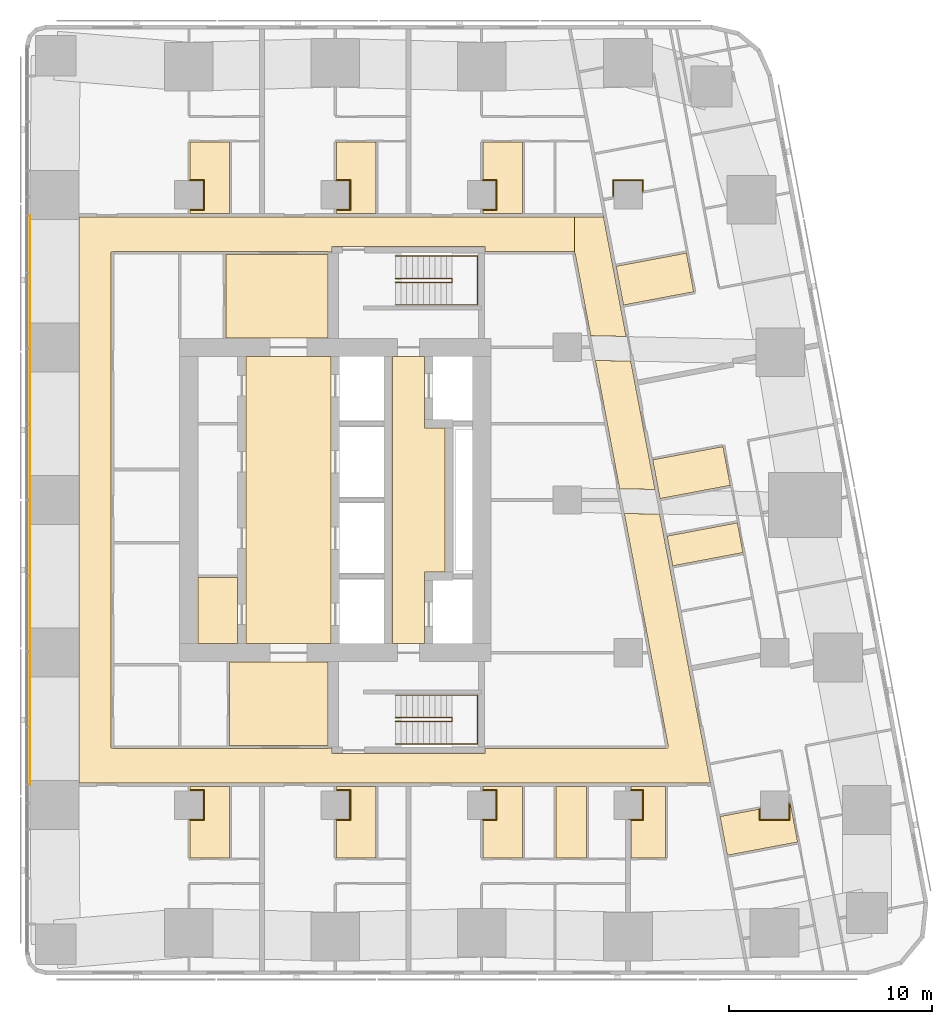
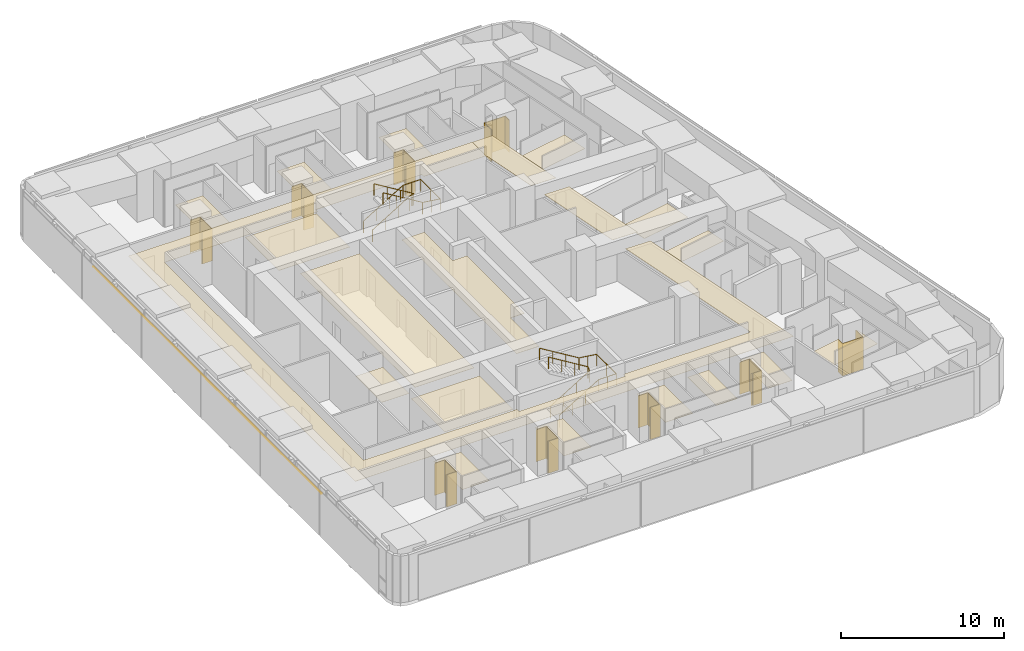
# One storey, part 17 of 17: 30 coverings, 4 railings.
"""IFC4 building model written with IfcOpenShell, lengths in metres."""

from ifc_helpers import new_model, si_unit, direction, frame, origin, origin_2d, place, context, subcontext, project, spatial, polyline, circle, outline, extrude, material, layer, layer_set, type_object, element, save


model = new_model("IFC4")

# Units and contexts
model_context = context("Model", 3, precision=1e-05, world=origin(), true_north=direction((0.0, 1.0)))
body_context = subcontext(model_context, "Body", "Model", "MODEL_VIEW")
ifc_project = project(units=[si_unit("LENGTHUNIT", "METRE"), si_unit("AREAUNIT", "SQUARE_METRE"), si_unit("VOLUMEUNIT", "CUBIC_METRE"), si_unit("PLANEANGLEUNIT", "RADIAN"), si_unit("MASSUNIT", "GRAM", prefix="KILO")], contexts=[model_context])

# Site, building, storey
site_placement = place(None, origin())
site = spatial("IfcSite", under=ifc_project, at=site_placement, CompositionType="ELEMENT")
building_placement = place(site_placement, origin())
building = spatial("IfcBuilding", under=site, at=building_placement, Name="Sheger Commons Tower", CompositionType="ELEMENT")
storey_placement = place(building_placement, frame((0.0, 0.0, 204.949951171875)))
storey = spatial("IfcBuildingStorey", under=building, at=storey_placement, Name="L52", CompositionType="ELEMENT", Elevation=204.949951171875)

# Railings
ifc_material_1 = material(Name="Steel handrail, black powder-coated", Category="steel")
railing_type = type_object("IfcRailingType", Name="HANDRAIL 900", PredefinedType="HANDRAIL", material=ifc_material_1)
railing_1_placement = place(storey_placement, frame((24.550048828125, 11.60009765625, 0.17041015625)))
element("IfcRailing", 1, at=railing_1_placement, inside=storey, type_object=railing_type, Name="Stair S1 handrail L52", PredefinedType="HANDRAIL", context=body_context, shape_type="SweptSolid", body=[
    extrude(circle(Radius=0.02392578125, at=origin_2d()), frame((0.0, 0.0, 0.8759765625), z_axis=(0.854169791009, 0.0, 0.51999420009), x_axis=(0.0, 1.0, 0.0)), (0.0, 0.0, 1.0), 3.278076171875),
    extrude(circle(Radius=0.02392578125, at=origin_2d()), frame((2.800048828125, 0.0, 2.58056640625), z_axis=(0.0, 0.761090297175, 0.648645943136), x_axis=(-1.0, 0.0, 0.0)), (0.0, 0.0, 1.0), 0.2626953125),
    extrude(circle(Radius=0.02392578125, at=origin_2d()), frame((2.800048828125, 0.199951171875, 2.7509765625), z_axis=(-0.854169791009, 0.0, 0.51999420009), x_axis=(0.0, -1.0, 0.0)), (0.0, 0.0, 1.0), 3.278076171875),
    extrude(circle(Radius=0.02099609375, at=origin_2d()), origin(), (0.0, 0.0, 1.0), 0.851806640625),
    extrude(circle(Radius=0.02099609375, at=origin_2d()), frame((0.933349609375, 0.0, 0.568115234375)), (0.0, 0.0, 1.0), 0.851806640625),
    extrude(circle(Radius=0.02099609375, at=origin_2d()), frame((1.86669921875, 0.0, 1.136474609375)), (0.0, 0.0, 1.0), 0.851806640625),
    extrude(circle(Radius=0.02099609375, at=origin_2d()), frame((2.800048828125, 0.0, 1.70458984375)), (0.0, 0.0, 1.0), 0.851806640625),
    extrude(circle(Radius=0.02099609375, at=origin_2d()), frame((2.800048828125, 0.199951171875, 1.875)), (0.0, 0.0, 1.0), 0.851806640625),
    extrude(circle(Radius=0.02099609375, at=origin_2d()), frame((1.86669921875, 0.199951171875, 2.443115234375)), (0.0, 0.0, 1.0), 0.851806640625),
    extrude(circle(Radius=0.02099609375, at=origin_2d()), frame((0.933349609375, 0.199951171875, 3.011474609375)), (0.0, 0.0, 1.0), 0.851806640625),
    extrude(circle(Radius=0.02099609375, at=origin_2d()), frame((0.0, 0.199951171875, 3.57958984375)), (0.0, 0.0, 1.0), 0.851806640625),
])
railing_2_placement = place(storey_placement, frame((24.550048828125, 10.5, 0.17041015625)))
element("IfcRailing", 2, at=railing_2_placement, inside=storey, type_object=railing_type, Name="Stair S1 handrail L52", PredefinedType="HANDRAIL", context=body_context, shape_type="SweptSolid", body=[
    extrude(circle(Radius=0.02392578125, at=origin_2d()), frame((0.0, 0.0, 0.8759765625), z_axis=(0.854169791009, 0.0, 0.51999420009), x_axis=(0.0, 1.0, 0.0)), (0.0, 0.0, 1.0), 3.278076171875),
    extrude(circle(Radius=0.02392578125, at=origin_2d()), frame((2.800048828125, 0.0, 2.58056640625), z_axis=(1.0, 0.0, 0.0), x_axis=(0.0, 1.0, 0.0)), (0.0, 0.0, 1.0), 1.25),
    extrude(circle(Radius=0.02392578125, at=origin_2d()), frame((4.050048828125, 0.0, 2.58056640625), z_axis=(0.0, 1.0, 0.0), x_axis=(-1.0, 0.0, 0.0)), (0.0, 0.0, 1.0), 2.39990234375),
    extrude(circle(Radius=0.02392578125, at=origin_2d()), frame((4.050048828125, 2.39990234375, 2.58056640625), z_axis=(-0.990834877927, 0.0, 0.135078661092), x_axis=(0.0, -1.0, 0.0)), (0.0, 0.0, 1.0), 1.261474609375),
    extrude(circle(Radius=0.02392578125, at=origin_2d()), frame((2.800048828125, 2.39990234375, 2.7509765625), z_axis=(-0.854169791009, 0.0, 0.51999420009), x_axis=(0.0, -1.0, 0.0)), (0.0, 0.0, 1.0), 3.278076171875),
    extrude(circle(Radius=0.02099609375, at=origin_2d()), origin(), (0.0, 0.0, 1.0), 0.851806640625),
    extrude(circle(Radius=0.02099609375, at=origin_2d()), frame((0.933349609375, 0.0, 0.568115234375)), (0.0, 0.0, 1.0), 0.851806640625),
    extrude(circle(Radius=0.02099609375, at=origin_2d()), frame((1.86669921875, 0.0, 1.136474609375)), (0.0, 0.0, 1.0), 0.851806640625),
    extrude(circle(Radius=0.02099609375, at=origin_2d()), frame((2.800048828125, 0.0, 1.70458984375)), (0.0, 0.0, 1.0), 0.851806640625),
    extrude(circle(Radius=0.02099609375, at=origin_2d()), frame((3.425048828125, 0.0, 1.70458984375)), (0.0, 0.0, 1.0), 0.851806640625),
    extrude(circle(Radius=0.02099609375, at=origin_2d()), frame((4.050048828125, 0.0, 1.70458984375)), (0.0, 0.0, 1.0), 0.851806640625),
    extrude(circle(Radius=0.02099609375, at=origin_2d()), frame((4.050048828125, 1.199951171875, 1.70458984375)), (0.0, 0.0, 1.0), 0.851806640625),
    extrude(circle(Radius=0.02099609375, at=origin_2d()), frame((4.050048828125, 2.39990234375, 1.70458984375)), (0.0, 0.0, 1.0), 0.851806640625),
    extrude(circle(Radius=0.02099609375, at=origin_2d()), frame((3.425048828125, 2.39990234375, 1.789794921875)), (0.0, 0.0, 1.0), 0.851806640625),
    extrude(circle(Radius=0.02099609375, at=origin_2d()), frame((2.800048828125, 2.39990234375, 1.875)), (0.0, 0.0, 1.0), 0.851806640625),
    extrude(circle(Radius=0.02099609375, at=origin_2d()), frame((1.86669921875, 2.39990234375, 2.443115234375)), (0.0, 0.0, 1.0), 0.851806640625),
    extrude(circle(Radius=0.02099609375, at=origin_2d()), frame((0.933349609375, 2.39990234375, 3.011474609375)), (0.0, 0.0, 1.0), 0.851806640625),
    extrude(circle(Radius=0.02099609375, at=origin_2d()), frame((0.0, 2.39990234375, 3.57958984375)), (0.0, 0.0, 1.0), 0.851806640625),
])
railing_3_placement = place(storey_placement, frame((24.550048828125, 33.39990234375, 0.17041015625)))
element("IfcRailing", 3, at=railing_3_placement, inside=storey, type_object=railing_type, Name="Stair S2 handrail L52", PredefinedType="HANDRAIL", context=body_context, shape_type="SweptSolid", body=[
    extrude(circle(Radius=0.02392578125, at=origin_2d()), frame((0.0, 0.0, 0.8759765625), z_axis=(0.854169791009, 0.0, 0.51999420009), x_axis=(0.0, 1.0, 0.0)), (0.0, 0.0, 1.0), 3.278076171875),
    extrude(circle(Radius=0.02392578125, at=origin_2d()), frame((2.800048828125, 0.0, 2.58056640625), z_axis=(0.0, -0.761090297175, 0.648645943136), x_axis=(1.0, 0.0, 0.0)), (0.0, 0.0, 1.0), 0.2626953125),
    extrude(circle(Radius=0.02392578125, at=origin_2d()), frame((2.800048828125, -0.199951171875, 2.7509765625), z_axis=(-0.854169791009, 0.0, 0.51999420009), x_axis=(0.0, -1.0, 0.0)), (0.0, 0.0, 1.0), 3.278076171875),
    extrude(circle(Radius=0.02099609375, at=origin_2d()), origin(), (0.0, 0.0, 1.0), 0.851806640625),
    extrude(circle(Radius=0.02099609375, at=origin_2d()), frame((0.933349609375, 0.0, 0.568115234375)), (0.0, 0.0, 1.0), 0.851806640625),
    extrude(circle(Radius=0.02099609375, at=origin_2d()), frame((1.86669921875, 0.0, 1.136474609375)), (0.0, 0.0, 1.0), 0.851806640625),
    extrude(circle(Radius=0.02099609375, at=origin_2d()), frame((2.800048828125, 0.0, 1.70458984375)), (0.0, 0.0, 1.0), 0.851806640625),
    extrude(circle(Radius=0.02099609375, at=origin_2d()), frame((2.800048828125, -0.199951171875, 1.875)), (0.0, 0.0, 1.0), 0.851806640625),
    extrude(circle(Radius=0.02099609375, at=origin_2d()), frame((1.86669921875, -0.199951171875, 2.443115234375)), (0.0, 0.0, 1.0), 0.851806640625),
    extrude(circle(Radius=0.02099609375, at=origin_2d()), frame((0.933349609375, -0.199951171875, 3.011474609375)), (0.0, 0.0, 1.0), 0.851806640625),
    extrude(circle(Radius=0.02099609375, at=origin_2d()), frame((0.0, -0.199951171875, 3.57958984375)), (0.0, 0.0, 1.0), 0.851806640625),
])
railing_4_placement = place(storey_placement, frame((24.550048828125, 34.5, 0.17041015625)))
element("IfcRailing", 4, at=railing_4_placement, inside=storey, type_object=railing_type, Name="Stair S2 handrail L52", PredefinedType="HANDRAIL", context=body_context, shape_type="SweptSolid", body=[
    extrude(circle(Radius=0.02392578125, at=origin_2d()), frame((0.0, 0.0, 0.8759765625), z_axis=(0.854169791009, 0.0, 0.51999420009), x_axis=(0.0, 1.0, 0.0)), (0.0, 0.0, 1.0), 3.278076171875),
    extrude(circle(Radius=0.02392578125, at=origin_2d()), frame((2.800048828125, 0.0, 2.58056640625), z_axis=(1.0, 0.0, 0.0), x_axis=(0.0, 1.0, 0.0)), (0.0, 0.0, 1.0), 1.25),
    extrude(circle(Radius=0.02392578125, at=origin_2d()), frame((4.050048828125, 0.0, 2.58056640625), z_axis=(0.0, -1.0, 0.0), x_axis=(1.0, 0.0, 0.0)), (0.0, 0.0, 1.0), 2.39990234375),
    extrude(circle(Radius=0.02392578125, at=origin_2d()), frame((4.050048828125, -2.39990234375, 2.58056640625), z_axis=(-0.990834877927, 0.0, 0.135078661092), x_axis=(0.0, -1.0, 0.0)), (0.0, 0.0, 1.0), 1.261474609375),
    extrude(circle(Radius=0.02392578125, at=origin_2d()), frame((2.800048828125, -2.39990234375, 2.7509765625), z_axis=(-0.854169791009, 0.0, 0.51999420009), x_axis=(0.0, -1.0, 0.0)), (0.0, 0.0, 1.0), 3.278076171875),
    extrude(circle(Radius=0.02099609375, at=origin_2d()), origin(), (0.0, 0.0, 1.0), 0.851806640625),
    extrude(circle(Radius=0.02099609375, at=origin_2d()), frame((0.933349609375, 0.0, 0.568115234375)), (0.0, 0.0, 1.0), 0.851806640625),
    extrude(circle(Radius=0.02099609375, at=origin_2d()), frame((1.86669921875, 0.0, 1.136474609375)), (0.0, 0.0, 1.0), 0.851806640625),
    extrude(circle(Radius=0.02099609375, at=origin_2d()), frame((2.800048828125, 0.0, 1.70458984375)), (0.0, 0.0, 1.0), 0.851806640625),
    extrude(circle(Radius=0.02099609375, at=origin_2d()), frame((3.425048828125, 0.0, 1.70458984375)), (0.0, 0.0, 1.0), 0.851806640625),
    extrude(circle(Radius=0.02099609375, at=origin_2d()), frame((4.050048828125, 0.0, 1.70458984375)), (0.0, 0.0, 1.0), 0.851806640625),
    extrude(circle(Radius=0.02099609375, at=origin_2d()), frame((4.050048828125, -1.199951171875, 1.70458984375)), (0.0, 0.0, 1.0), 0.851806640625),
    extrude(circle(Radius=0.02099609375, at=origin_2d()), frame((4.050048828125, -2.39990234375, 1.70458984375)), (0.0, 0.0, 1.0), 0.851806640625),
    extrude(circle(Radius=0.02099609375, at=origin_2d()), frame((3.425048828125, -2.39990234375, 1.789794921875)), (0.0, 0.0, 1.0), 0.851806640625),
    extrude(circle(Radius=0.02099609375, at=origin_2d()), frame((2.800048828125, -2.39990234375, 1.875)), (0.0, 0.0, 1.0), 0.851806640625),
    extrude(circle(Radius=0.02099609375, at=origin_2d()), frame((1.86669921875, -2.39990234375, 2.443115234375)), (0.0, 0.0, 1.0), 0.851806640625),
    extrude(circle(Radius=0.02099609375, at=origin_2d()), frame((0.933349609375, -2.39990234375, 3.011474609375)), (0.0, 0.0, 1.0), 0.851806640625),
    extrude(circle(Radius=0.02099609375, at=origin_2d()), frame((0.0, -2.39990234375, 3.57958984375)), (0.0, 0.0, 1.0), 0.851806640625),
])

# Coverings
ifc_material_2 = material(Name="Moisture-resistant gypsum plasterboard 15 mm on a suspended galvanised steel grid", Category="steel")
ifc_layer_1 = layer(ifc_material_2, 0.014892578125)
ifc_layer_set_1 = layer_set([ifc_layer_1], Name="MOISTURE-RESISTANT CEILING 15")
covering_type_1 = type_object("IfcCoveringType", Name="MOISTURE-RESISTANT CEILING 15", PredefinedType="CEILING", material=ifc_layer_set_1)
covering_1_placement = place(storey_placement, frame((0.0, 0.0, 2.400146484375)))
element("IfcCovering", 5, at=covering_1_placement, inside=storey, type_object=covering_type_1, Name="L52-01.B1 ceiling", PredefinedType="CEILING", context=body_context, shape_type="SweptSolid", body=[
    extrude(outline(polyline([(14.455078125, 4.905029296875), (16.39501953125, 4.905029296875), (16.39501953125, 8.419921875), (14.455078125, 8.419921875), (14.455078125, 8.205078125), (15.10498046875, 8.205078125), (15.10498046875, 6.794921875), (14.455078125, 6.794921875), (14.455078125, 4.905029296875)])), origin(), (0.0, 0.0, 1.0), 0.014892578125),
])
covering_2_placement = place(storey_placement, frame((0.0, 0.0, 2.400146484375)))
element("IfcCovering", 6, at=covering_2_placement, inside=storey, type_object=covering_type_1, Name="L52-02.B1 ceiling", PredefinedType="CEILING", context=body_context, shape_type="SweptSolid", body=[
    extrude(outline(polyline([(21.655029296875, 4.905029296875), (23.594970703125, 4.905029296875), (23.594970703125, 8.419921875), (21.655029296875, 8.419921875), (21.655029296875, 8.205078125), (22.304931640625, 8.205078125), (22.304931640625, 6.794921875), (21.655029296875, 6.794921875), (21.655029296875, 4.905029296875)])), origin(), (0.0, 0.0, 1.0), 0.014892578125),
])
covering_3_placement = place(storey_placement, frame((0.0, 0.0, 2.400146484375)))
element("IfcCovering", 7, at=covering_3_placement, inside=storey, type_object=covering_type_1, Name="L52-03.B1 ceiling", PredefinedType="CEILING", context=body_context, shape_type="SweptSolid", body=[
    extrude(outline(polyline([(28.85498046875, 4.905029296875), (30.794921875, 4.905029296875), (30.794921875, 8.419921875), (28.85498046875, 8.419921875), (28.85498046875, 8.205078125), (29.5048828125, 8.205078125), (29.5048828125, 6.794921875), (28.85498046875, 6.794921875), (28.85498046875, 4.905029296875)])), origin(), (0.0, 0.0, 1.0), 0.014892578125),
])
covering_4_placement = place(storey_placement, frame((0.0, 0.0, 2.400146484375)))
element("IfcCovering", 8, at=covering_4_placement, inside=storey, type_object=covering_type_1, Name="L52-03.B2 ceiling", PredefinedType="CEILING", context=body_context, shape_type="SweptSolid", body=[
    extrude(outline(polyline([(32.455078125, 4.905029296875), (33.945068359375, 4.905029296875), (33.945068359375, 8.419921875), (32.455078125, 8.419921875), (32.455078125, 4.905029296875)])), origin(), (0.0, 0.0, 1.0), 0.014892578125),
])
covering_5_placement = place(storey_placement, frame((0.0, 0.0, 2.400146484375)))
element("IfcCovering", 9, at=covering_5_placement, inside=storey, type_object=covering_type_1, Name="L52-04.B1 ceiling", PredefinedType="CEILING", context=body_context, shape_type="SweptSolid", body=[
    extrude(outline(polyline([(36.1298828125, 4.905029296875), (37.8349609375, 4.905029296875), (37.8349609375, 8.419921875), (36.1298828125, 8.419921875), (36.1298828125, 8.205078125), (36.705078125, 8.205078125), (36.705078125, 6.794921875), (36.1298828125, 6.794921875), (36.1298828125, 4.905029296875)])), origin(), (0.0, 0.0, 1.0), 0.014892578125),
])
covering_6_placement = place(storey_placement, frame((0.0, 0.0, 2.400146484375)))
element("IfcCovering", 10, at=covering_6_placement, inside=storey, type_object=covering_type_1, Name="L52-05.B1 ceiling", PredefinedType="CEILING", context=body_context, shape_type="SweptSolid", body=[
    extrude(outline(polyline([(35.77099609375, 32.083984375), (39.22412109375, 32.736083984375), (38.864013671875, 34.64208984375), (35.410888671875, 33.989990234375), (35.77099609375, 32.083984375)])), origin(), (0.0, 0.0, 1.0), 0.014892578125),
])
covering_7_placement = place(storey_placement, frame((0.0, 0.0, 2.400146484375)))
element("IfcCovering", 11, at=covering_7_placement, inside=storey, type_object=covering_type_1, Name="L52-06.B1 ceiling", PredefinedType="CEILING", context=body_context, shape_type="SweptSolid", body=[
    extrude(outline(polyline([(37.568115234375, 22.569091796875), (41.02197265625, 23.220947265625), (40.662109375, 25.1279296875), (37.2080078125, 24.47509765625), (37.568115234375, 22.569091796875)])), origin(), (0.0, 0.0, 1.0), 0.014892578125),
])
covering_8_placement = place(storey_placement, frame((0.0, 0.0, 2.400146484375)))
element("IfcCovering", 12, at=covering_8_placement, inside=storey, type_object=covering_type_1, Name="L52-06.B2 ceiling", PredefinedType="CEILING", context=body_context, shape_type="SweptSolid", body=[
    extrude(outline(polyline([(38.193115234375, 19.260986328125), (41.64697265625, 19.9140625), (41.37109375, 21.3779296875), (37.916015625, 20.72607421875), (38.193115234375, 19.260986328125)])), origin(), (0.0, 0.0, 1.0), 0.014892578125),
])
covering_9_placement = place(storey_placement, frame((0.0, 0.0, 2.400146484375)))
element("IfcCovering", 13, at=covering_9_placement, inside=storey, type_object=covering_type_1, Name="L52-07.B1 ceiling", PredefinedType="CEILING", context=body_context, shape_type="SweptSolid", body=[
    extrude(outline(polyline([(40.8798828125, 5.031982421875), (44.333984375, 5.68408203125), (43.97412109375, 7.591064453125), (43.9150390625, 7.580078125), (43.906982421875, 7.623046875), (43.905029296875, 7.623046875), (43.905029296875, 6.794921875), (42.4951171875, 6.794921875), (42.4951171875, 7.31103515625), (40.52001953125, 6.93798828125), (40.8798828125, 5.031982421875)])), origin(), (0.0, 0.0, 1.0), 0.014892578125),
])
covering_10_placement = place(storey_placement, frame((0.0, 0.0, 2.400146484375)))
element("IfcCovering", 14, at=covering_10_placement, inside=storey, type_object=covering_type_1, Name="L52-08.B1 ceiling", PredefinedType="CEILING", context=body_context, shape_type="SweptSolid", body=[
    extrude(outline(polyline([(14.455078125, 36.580078125), (16.39501953125, 36.580078125), (16.39501953125, 40.094970703125), (14.455078125, 40.094970703125), (14.455078125, 38.205078125), (15.10498046875, 38.205078125), (15.10498046875, 36.794921875), (14.455078125, 36.794921875), (14.455078125, 36.580078125)])), origin(), (0.0, 0.0, 1.0), 0.014892578125),
])
covering_11_placement = place(storey_placement, frame((0.0, 0.0, 2.400146484375)))
element("IfcCovering", 15, at=covering_11_placement, inside=storey, type_object=covering_type_1, Name="L52-09.B1 ceiling", PredefinedType="CEILING", context=body_context, shape_type="SweptSolid", body=[
    extrude(outline(polyline([(21.655029296875, 36.580078125), (23.594970703125, 36.580078125), (23.594970703125, 40.094970703125), (21.655029296875, 40.094970703125), (21.655029296875, 38.205078125), (22.304931640625, 38.205078125), (22.304931640625, 36.794921875), (21.655029296875, 36.794921875), (21.655029296875, 36.580078125)])), origin(), (0.0, 0.0, 1.0), 0.014892578125),
])
covering_12_placement = place(storey_placement, frame((0.0, 0.0, 2.400146484375)))
element("IfcCovering", 16, at=covering_12_placement, inside=storey, type_object=covering_type_1, Name="L52-10.B1 ceiling", PredefinedType="CEILING", context=body_context, shape_type="SweptSolid", body=[
    extrude(outline(polyline([(28.85498046875, 36.580078125), (30.794921875, 36.580078125), (30.794921875, 40.094970703125), (28.85498046875, 40.094970703125), (28.85498046875, 38.205078125), (29.5048828125, 38.205078125), (29.5048828125, 36.794921875), (28.85498046875, 36.794921875), (28.85498046875, 36.580078125)])), origin(), (0.0, 0.0, 1.0), 0.014892578125),
])
covering_13_placement = place(storey_placement, frame((0.0, 0.0, 2.400146484375)))
element("IfcCovering", 17, at=covering_13_placement, inside=storey, type_object=covering_type_1, Name="L52-CRB1 ceiling", PredefinedType="CEILING", context=body_context, shape_type="SweptSolid", body=[
    extrude(outline(polyline([(14.85498046875, 15.455078125), (16.794921875, 15.455078125), (16.794921875, 18.68310546875), (14.85498046875, 18.68310546875), (14.85498046875, 15.455078125)])), origin(), (0.0, 0.0, 1.0), 0.014892578125),
])
ifc_material_3 = material(Name="Gypsum plasterboard 15 mm on a suspended steel grid", Category="steel")
ifc_layer_2 = layer(ifc_material_3, 0.014892578125)
ifc_layer_set_2 = layer_set([ifc_layer_2], Name="SUSPENDED CEILING 15")
covering_type_2 = type_object("IfcCoveringType", Name="SUSPENDED CEILING 15", PredefinedType="CEILING", material=ifc_layer_set_2)
covering_14_placement = place(storey_placement, frame((0.0, 0.0, 2.699951171875)))
element("IfcCovering", 18, at=covering_14_placement, inside=storey, type_object=covering_type_2, Name="L52-CO ceiling", PredefinedType="CEILING", context=body_context, shape_type="SweptSolid", body=[
    extrude(outline(polyline([(6.554931640625, 8.5), (6.594970703125, 8.5), (6.594970703125, 36.5), (6.554931640625, 36.5), (6.554931640625, 8.5)])), origin(), (0.0, 0.0, 1.0), 0.01513671875),
])
covering_15_placement = place(storey_placement, frame((0.0, 0.0, 2.699951171875)))
element("IfcCovering", 19, at=covering_15_placement, inside=storey, type_object=covering_type_2, Name="L52-CO ceiling", PredefinedType="CEILING", context=body_context, shape_type="SweptSolid", body=[
    extrude(outline(polyline([(9.0048828125, 8.580078125), (40.047119140625, 8.580078125), (37.550048828125, 21.802978515625), (35.81103515625, 21.837890625), (37.967041015625, 10.4208984375), (37.949951171875, 10.4169921875), (37.971923828125, 10.300048828125), (37.841064453125, 10.300048828125), (37.841064453125, 10.281982421875), (28.955078125, 10.281982421875), (28.955078125, 10.044921875), (21.445068359375, 10.044921875), (21.445068359375, 10.300048828125), (21.2548828125, 10.300048828125), (21.2548828125, 10.281982421875), (10.7080078125, 10.281982421875), (10.7080078125, 10.294921875), (10.58203125, 10.294921875), (10.58203125, 34.705078125), (10.7080078125, 34.705078125), (10.7080078125, 34.718017578125), (21.2548828125, 34.718017578125), (21.2548828125, 34.699951171875), (21.445068359375, 34.699951171875), (21.445068359375, 34.955078125), (28.955078125, 34.955078125), (28.955078125, 34.718017578125), (33.3359375, 34.718017578125), (33.3359375, 34.699951171875), (33.361083984375, 34.699951171875), (33.361083984375, 36.419921875), (9.0048828125, 36.419921875), (9.0048828125, 8.580078125)])), origin(), (0.0, 0.0, 1.0), 0.01513671875),
])
covering_16_placement = place(storey_placement, frame((0.0, 0.0, 2.699951171875)))
element("IfcCovering", 20, at=covering_16_placement, inside=storey, type_object=covering_type_2, Name="L52-CO ceiling", PredefinedType="CEILING", context=body_context, shape_type="SweptSolid", body=[
    extrude(outline(polyline([(37.321044921875, 23.01806640625), (36.12890625, 29.323974609375), (34.388916015625, 29.363037109375), (35.5810546875, 23.052978515625), (37.321044921875, 23.01806640625)])), origin(), (0.0, 0.0, 1.0), 0.01513671875),
])
covering_17_placement = place(storey_placement, frame((0.0, 0.0, 2.699951171875)))
element("IfcCovering", 21, at=covering_17_placement, inside=storey, type_object=covering_type_2, Name="L52-CO ceiling", PredefinedType="CEILING", context=body_context, shape_type="SweptSolid", body=[
    extrude(outline(polyline([(35.89990234375, 30.5400390625), (34.77392578125, 36.5), (34.77001953125, 36.5), (34.77001953125, 36.419921875), (33.365966796875, 36.419921875), (33.365966796875, 34.697998046875), (33.364013671875, 34.697998046875), (33.382080078125, 34.60205078125), (33.39892578125, 34.60498046875), (34.159912109375, 30.5791015625), (35.89990234375, 30.5400390625)])), origin(), (0.0, 0.0, 1.0), 0.01513671875),
])
covering_18_placement = place(storey_placement, frame((0.0, 0.0, 2.699951171875)))
element("IfcCovering", 22, at=covering_18_placement, inside=storey, type_object=covering_type_2, Name="L52-SVS1 ceiling", PredefinedType="CEILING", context=body_context, shape_type="SweptSolid", body=[
    extrude(outline(polyline([(16.406982421875, 10.41796875), (21.2451171875, 10.41796875), (21.2451171875, 14.544921875), (16.406982421875, 14.544921875), (16.406982421875, 10.41796875)])), origin(), (0.0, 0.0, 1.0), 0.01513671875),
])
covering_19_placement = place(storey_placement, frame((0.0, 0.0, 2.699951171875)))
element("IfcCovering", 23, at=covering_19_placement, inside=storey, type_object=covering_type_2, Name="L52-SVN1 ceiling", PredefinedType="CEILING", context=body_context, shape_type="SweptSolid", body=[
    extrude(outline(polyline([(16.217041015625, 30.455078125), (21.2451171875, 30.455078125), (21.2451171875, 34.58203125), (16.217041015625, 34.58203125), (16.217041015625, 30.455078125)])), origin(), (0.0, 0.0, 1.0), 0.01513671875),
])
covering_20_placement = place(storey_placement, frame((0.0, 0.0, 2.699951171875)))
element("IfcCovering", 24, at=covering_20_placement, inside=storey, type_object=covering_type_2, Name="L52-LL ceiling", PredefinedType="CEILING", context=body_context, shape_type="SweptSolid", body=[
    extrude(outline(polyline([(17.205078125, 15.455078125), (21.39990234375, 15.455078125), (21.39990234375, 29.544921875), (17.205078125, 29.544921875), (17.205078125, 15.455078125)])), origin(), (0.0, 0.0, 1.0), 0.01513671875),
])
covering_21_placement = place(storey_placement, frame((0.0, 0.0, 2.699951171875)))
element("IfcCovering", 25, at=covering_21_placement, inside=storey, type_object=covering_type_2, Name="L52-FL ceiling", PredefinedType="CEILING", context=body_context, shape_type="SweptSolid", body=[
    extrude(outline(polyline([(24.405029296875, 15.455078125), (25.9951171875, 15.455078125), (25.9951171875, 18.955078125), (26.9951171875, 18.955078125), (26.9951171875, 26.044921875), (25.9951171875, 26.044921875), (25.9951171875, 29.544921875), (24.405029296875, 29.544921875), (24.405029296875, 15.455078125)])), origin(), (0.0, 0.0, 1.0), 0.01513671875),
])
ifc_material_4 = material(Name="Moisture-resistant gypsum board 12.5 mm on 25 mm treated timber battens, tanked and tiled", Category="wood")
ifc_layer_3 = layer(ifc_material_4, 0.050048828125)
ifc_layer_set_3 = layer_set([ifc_layer_3], Name="WET-ROOM COLUMN LINING")
covering_type_3 = type_object("IfcCoveringType", Name="WET-ROOM COLUMN LINING", PredefinedType="CLADDING", material=ifc_layer_set_3)
covering_22_placement = place(storey_placement, origin())
element("IfcCovering", 26, at=covering_22_placement, inside=storey, type_object=covering_type_3, Name="Bathroom column lining C11 L52", PredefinedType="CLADDING", context=body_context, shape_type="SweptSolid", body=[
    extrude(outline(polyline([(15.14990234375, 6.75), (14.449951171875, 6.75), (14.449951171875, 6.799072265625), (14.39990234375, 6.799072265625), (14.39990234375, 6.800048828125), (15.10009765625, 6.800048828125), (15.10009765625, 8.199951171875), (14.39990234375, 8.199951171875), (14.39990234375, 8.200927734375), (14.449951171875, 8.200927734375), (14.449951171875, 8.25), (15.14990234375, 8.25), (15.14990234375, 6.75)])), origin(), (0.0, 0.0, 1.0), 2.400146484375),
])
covering_23_placement = place(storey_placement, origin())
element("IfcCovering", 27, at=covering_23_placement, inside=storey, type_object=covering_type_3, Name="Bathroom column lining C11 L52", PredefinedType="CLADDING", context=body_context, shape_type="SweptSolid", body=[
    extrude(outline(polyline([(22.35009765625, 6.75), (21.64990234375, 6.75), (21.64990234375, 6.799072265625), (21.60009765625, 6.799072265625), (21.60009765625, 6.800048828125), (22.300048828125, 6.800048828125), (22.300048828125, 8.199951171875), (21.60009765625, 8.199951171875), (21.60009765625, 8.200927734375), (21.64990234375, 8.200927734375), (21.64990234375, 8.25), (22.35009765625, 8.25), (22.35009765625, 6.75)])), origin(), (0.0, 0.0, 1.0), 2.400146484375),
])
covering_24_placement = place(storey_placement, origin())
element("IfcCovering", 28, at=covering_24_placement, inside=storey, type_object=covering_type_3, Name="Bathroom column lining C11 L52", PredefinedType="CLADDING", context=body_context, shape_type="SweptSolid", body=[
    extrude(outline(polyline([(29.550048828125, 6.75), (28.85009765625, 6.75), (28.85009765625, 6.799072265625), (28.800048828125, 6.799072265625), (28.800048828125, 6.800048828125), (29.5, 6.800048828125), (29.5, 8.199951171875), (28.800048828125, 8.199951171875), (28.800048828125, 8.200927734375), (28.85009765625, 8.200927734375), (28.85009765625, 8.25), (29.550048828125, 8.25), (29.550048828125, 6.75)])), origin(), (0.0, 0.0, 1.0), 2.400146484375),
])
covering_25_placement = place(storey_placement, origin())
element("IfcCovering", 29, at=covering_25_placement, inside=storey, type_object=covering_type_3, Name="Shower room column lining C11 L52", PredefinedType="CLADDING", context=body_context, shape_type="SweptSolid", body=[
    extrude(outline(polyline([(36.75, 6.75), (36.125, 6.75), (36.125, 6.799072265625), (36.0, 6.799072265625), (36.0, 6.800048828125), (36.699951171875, 6.800048828125), (36.699951171875, 8.199951171875), (36.0, 8.199951171875), (36.0, 8.200927734375), (36.125, 8.200927734375), (36.125, 8.25), (36.75, 8.25), (36.75, 6.75)])), origin(), (0.0, 0.0, 1.0), 2.400146484375),
])
covering_26_placement = place(storey_placement, origin())
element("IfcCovering", 30, at=covering_26_placement, inside=storey, type_object=covering_type_3, Name="Bathroom column lining C11 L52", PredefinedType="CLADDING", context=body_context, shape_type="SweptSolid", body=[
    extrude(outline(polyline([(42.5, 7.367919921875), (42.5, 6.800048828125), (43.89990234375, 6.800048828125), (43.89990234375, 7.633056640625), (43.909912109375, 7.635009765625), (43.9189453125, 7.5859375), (43.949951171875, 7.592041015625), (43.949951171875, 6.75), (42.449951171875, 6.75), (42.449951171875, 7.30810546875), (42.4990234375, 7.31689453125), (42.489990234375, 7.365966796875), (42.5, 7.367919921875)])), origin(), (0.0, 0.0, 1.0), 2.400146484375),
])
covering_27_placement = place(storey_placement, origin())
element("IfcCovering", 31, at=covering_27_placement, inside=storey, type_object=covering_type_3, Name="Bathroom column lining C11 L52", PredefinedType="CLADDING", context=body_context, shape_type="SweptSolid", body=[
    extrude(outline(polyline([(15.14990234375, 36.75), (14.449951171875, 36.75), (14.449951171875, 36.799072265625), (14.39990234375, 36.799072265625), (14.39990234375, 36.800048828125), (15.10009765625, 36.800048828125), (15.10009765625, 38.199951171875), (14.39990234375, 38.199951171875), (14.39990234375, 38.200927734375), (14.449951171875, 38.200927734375), (14.449951171875, 38.25), (15.14990234375, 38.25), (15.14990234375, 36.75)])), origin(), (0.0, 0.0, 1.0), 2.400146484375),
])
covering_28_placement = place(storey_placement, origin())
element("IfcCovering", 32, at=covering_28_placement, inside=storey, type_object=covering_type_3, Name="Bathroom column lining C11 L52", PredefinedType="CLADDING", context=body_context, shape_type="SweptSolid", body=[
    extrude(outline(polyline([(22.35009765625, 36.75), (21.64990234375, 36.75), (21.64990234375, 36.799072265625), (21.60009765625, 36.799072265625), (21.60009765625, 36.800048828125), (22.300048828125, 36.800048828125), (22.300048828125, 38.199951171875), (21.60009765625, 38.199951171875), (21.60009765625, 38.200927734375), (21.64990234375, 38.200927734375), (21.64990234375, 38.25), (22.35009765625, 38.25), (22.35009765625, 36.75)])), origin(), (0.0, 0.0, 1.0), 2.400146484375),
])
covering_29_placement = place(storey_placement, origin())
element("IfcCovering", 33, at=covering_29_placement, inside=storey, type_object=covering_type_3, Name="Bathroom column lining C11 L52", PredefinedType="CLADDING", context=body_context, shape_type="SweptSolid", body=[
    extrude(outline(polyline([(29.550048828125, 36.75), (28.85009765625, 36.75), (28.85009765625, 36.799072265625), (28.800048828125, 36.799072265625), (28.800048828125, 36.800048828125), (29.5, 36.800048828125), (29.5, 38.199951171875), (28.800048828125, 38.199951171875), (28.800048828125, 38.200927734375), (28.85009765625, 38.200927734375), (28.85009765625, 38.25), (29.550048828125, 38.25), (29.550048828125, 36.75)])), origin(), (0.0, 0.0, 1.0), 2.400146484375),
])
covering_30_placement = place(storey_placement, origin())
element("IfcCovering", 34, at=covering_30_placement, inside=storey, type_object=covering_type_3, Name="Laundry room column lining C11 L52", PredefinedType="CLADDING", context=body_context, shape_type="SweptSolid", body=[
    extrude(outline(polyline([(36.75, 38.25), (36.75, 37.69189453125), (36.700927734375, 37.68310546875), (36.7099609375, 37.635009765625), (36.699951171875, 37.633056640625), (36.699951171875, 38.199951171875), (35.300048828125, 38.199951171875), (35.300048828125, 37.367919921875), (35.2900390625, 37.365966796875), (35.281005859375, 37.4150390625), (35.25, 37.408935546875), (35.25, 38.25), (36.75, 38.25)])), origin(), (0.0, 0.0, 1.0), 2.400146484375),
])

save(model, "model.ifc")
